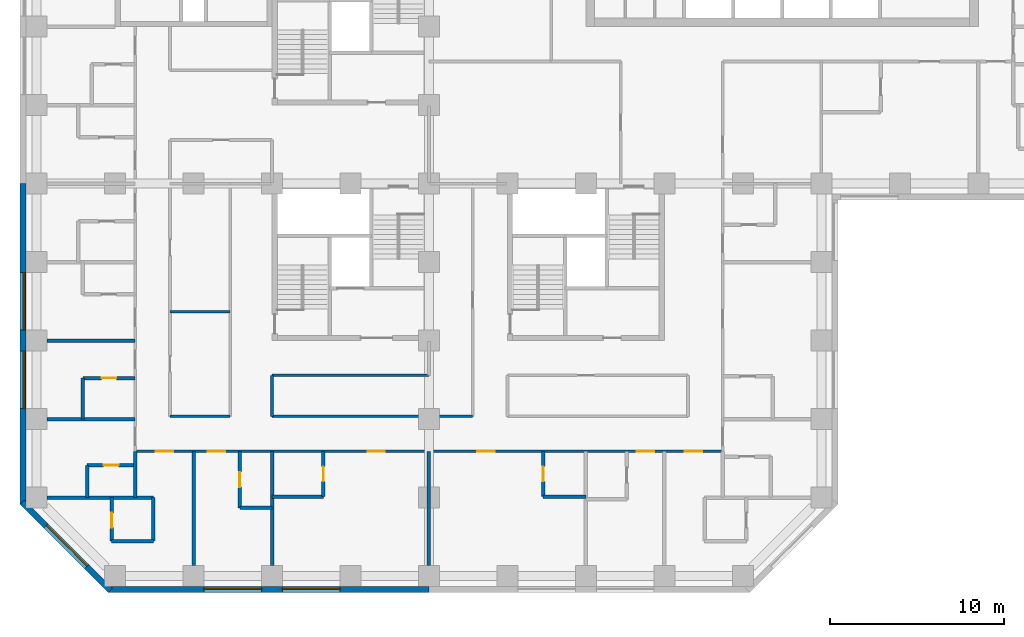
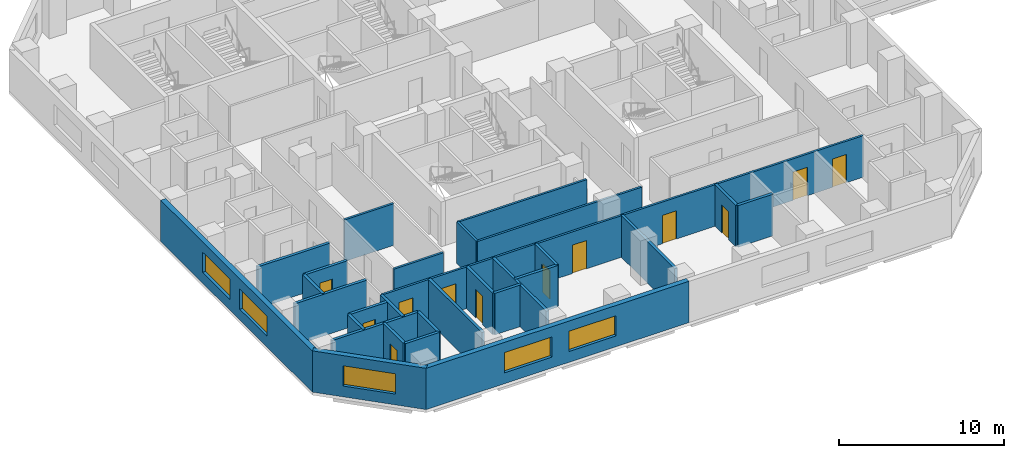
# One storey, part 2 of 12: 29 walls, 12 doors, 5 windows, 17 openings.
"""IFC4 building model written with IfcOpenShell, lengths in metres."""

from ifc_helpers import new_model, si_unit, direction, frame, frame_2d, origin, place, context, subcontext, project, spatial, rectangle, extrude, material, layer, layer_set, constituent, constituent_set, type_object, element, fill, save


model = new_model("IFC4")

# Units and contexts
model_context = context("Model", 3, precision=1e-05, world=origin(), true_north=direction((0.0, 1.0)))
body_context = subcontext(model_context, "Body", "Model", "MODEL_VIEW")
ifc_project = project(units=[si_unit("LENGTHUNIT", "METRE"), si_unit("AREAUNIT", "SQUARE_METRE"), si_unit("VOLUMEUNIT", "CUBIC_METRE"), si_unit("PLANEANGLEUNIT", "RADIAN"), si_unit("MASSUNIT", "GRAM", prefix="KILO")], contexts=[model_context])

# Site, building, storey
site_placement = place(None, origin())
site = spatial("IfcSite", under=ifc_project, at=site_placement, CompositionType="ELEMENT")
building_placement = place(site_placement, origin())
building = spatial("IfcBuilding", under=site, at=building_placement, Name="Quoin Convention Tower", CompositionType="ELEMENT")
storey_placement = place(building_placement, frame((0.0, 0.0, 33.0)))
storey = spatial("IfcBuildingStorey", under=building, at=storey_placement, Name="L07", CompositionType="ELEMENT", Elevation=33.0)

# Wall, opening, window
ifc_material_1 = material(Name="Brick masonry", Category="masonry")
ifc_layer_1 = layer(ifc_material_1, 0.35009765625)
ifc_layer_set_1 = layer_set([ifc_layer_1], Name="Brick masonry")
wall_type_1 = type_object("IfcWallType", Name="Brick facade wall", PredefinedType="STANDARD", material=ifc_layer_set_1)
wall_1_placement = place(storey_placement, frame((12.673583984375, 22.230224609375, 0.0), z_axis=(0.0, 0.0, 1.0), x_axis=(0.707106781187, -0.707106781187, 0.0)))
wall_1 = element("IfcWall", 1, at=wall_1_placement, inside=storey, type_object=wall_type_1, Name="fw-L07-13500_22500", PredefinedType="STANDARD", context=body_context, shape_type="SweptSolid", body=[
    extrude(rectangle(XDim=7.151123046875, YDim=0.35009765625, at=frame_2d((3.57568359375, 0.0))), origin(), (0.0, 0.0, 1.0), 3.054931640625),
])
opening_1_placement = place(wall_1_placement, frame((1.925537109375, 0.0, 0.800048828125)))
opening_1 = element("IfcOpeningElement", 2, at=opening_1_placement, cuts=wall_1, Name="Opening W-01", PredefinedType="OPENING", context=body_context, shape_type="SweptSolid", body=[
    extrude(rectangle(XDim=3.300048828125, YDim=1.5, at=frame_2d((1.64990234375, 0.75))), frame((0.0, 0.18505859375, 0.0), z_axis=(0.0, -1.0, 0.0), x_axis=(1.0, 0.0, 0.0)), (0.0, 0.0, 1.0), 0.3701171875),
])
ifc_material_2 = material(Name="Aluminium", Category="aluminium")
ifc_constituent_1 = constituent(ifc_material_2, Name="Frame")
ifc_material_3 = material(Name="Insulated glass", Category="glass")
ifc_constituent_2 = constituent(ifc_material_3, Name="Glazing")
ifc_constituent_set = constituent_set(constituents=[ifc_constituent_1, ifc_constituent_2], Name="Aluminium")
window_type = type_object("IfcWindowType", Name="Hotel strip window", PartitioningType="DOUBLE_PANEL_VERTICAL", PredefinedType="WINDOW", material=ifc_constituent_set)
window_1_placement = place(opening_1_placement, origin())
window_1 = element("IfcWindow", 3, at=window_1_placement, inside=storey, type_object=window_type, Name="win-L07-15202_19702", OverallHeight=1.5, OverallWidth=3.300048828125, PartitioningType="SINGLE_PANEL", PredefinedType="WINDOW", context=body_context, shape_type="SweptSolid", body=[
    extrude(rectangle(XDim=3.300048828125, YDim=1.5, at=frame_2d((1.64990234375, 0.75))), frame((0.0, 0.0849609375, 0.0), z_axis=(0.0, -1.0, 0.0), x_axis=(1.0, 0.0, 0.0)), (0.0, 0.0, 1.0), 0.06005859375),
])
fill(opening_1, window_1)

# Wall, openings, windows
wall_2_placement = place(storey_placement, frame((17.6064453125, 17.22509765625, 0.0), z_axis=(0.0, 0.0, 1.0), x_axis=(1.0, 0.0, 0.0)))
wall_2 = element("IfcWall", 4, at=wall_2_placement, inside=storey, type_object=wall_type_1, Name="fw-L07-18000_18000", PredefinedType="STANDARD", context=body_context, shape_type="SweptSolid", body=[
    extrude(rectangle(XDim=18.3935546875, YDim=0.35009765625, at=frame_2d((9.19677734375, 0.0))), origin(), (0.0, 0.0, 1.0), 3.054931640625),
])
opening_2_placement = place(wall_2_placement, frame((5.493408203125, 0.0, 0.800048828125)))
opening_2 = element("IfcOpeningElement", 5, at=opening_2_placement, cuts=wall_2, Name="Opening W-01", PredefinedType="OPENING", context=body_context, shape_type="SweptSolid", body=[
    extrude(rectangle(XDim=3.300048828125, YDim=1.5, at=frame_2d((1.64990234375, 0.75))), frame((0.0, 0.18505859375, 0.0), z_axis=(0.0, -1.0, 0.0), x_axis=(1.0, 0.0, 0.0)), (0.0, 0.0, 1.0), 0.3701171875),
])
opening_3_placement = place(wall_2_placement, frame((9.993408203125, 0.0, 0.800048828125)))
opening_3 = element("IfcOpeningElement", 6, at=opening_3_placement, cuts=wall_2, Name="Opening W-01", PredefinedType="OPENING", context=body_context, shape_type="SweptSolid", body=[
    extrude(rectangle(XDim=3.300048828125, YDim=1.5, at=frame_2d((1.64990234375, 0.75))), frame((0.0, 0.18505859375, 0.0), z_axis=(0.0, -1.0, 0.0), x_axis=(1.0, 0.0, 0.0)), (0.0, 0.0, 1.0), 0.3701171875),
])
window_2_placement = place(opening_2_placement, origin())
window_2 = element("IfcWindow", 7, at=window_2_placement, inside=storey, type_object=window_type, Name="win-L07-24750_17225", OverallHeight=1.5, OverallWidth=3.300048828125, PartitioningType="SINGLE_PANEL", PredefinedType="WINDOW", context=body_context, shape_type="SweptSolid", body=[
    extrude(rectangle(XDim=3.300048828125, YDim=1.5, at=frame_2d((1.64990234375, 0.75))), frame((0.0, 0.0849609375, 0.0), z_axis=(0.0, -1.0, 0.0), x_axis=(1.0, 0.0, 0.0)), (0.0, 0.0, 1.0), 0.06005859375),
])
fill(opening_2, window_2)
window_3_placement = place(opening_3_placement, origin())
window_3 = element("IfcWindow", 8, at=window_3_placement, inside=storey, type_object=window_type, Name="win-L07-29250_17225", OverallHeight=1.5, OverallWidth=3.300048828125, PartitioningType="SINGLE_PANEL", PredefinedType="WINDOW", context=body_context, shape_type="SweptSolid", body=[
    extrude(rectangle(XDim=3.300048828125, YDim=1.5, at=frame_2d((1.64990234375, 0.75))), frame((0.0, 0.0849609375, 0.0), z_axis=(0.0, -1.0, 0.0), x_axis=(1.0, 0.0, 0.0)), (0.0, 0.0, 1.0), 0.06005859375),
])
fill(opening_3, window_3)

wall_3_placement = place(storey_placement, frame((12.72509765625, 40.5, 0.0), z_axis=(0.0, 0.0, 1.0), x_axis=(0.0, -1.0, 0.0)))
wall_3 = element("IfcWall", 9, at=wall_3_placement, inside=storey, type_object=wall_type_1, Name="fw-L07-13500_40500", PredefinedType="STANDARD", context=body_context, shape_type="SweptSolid", body=[
    extrude(rectangle(XDim=18.3935546875, YDim=0.35009765625, at=frame_2d((9.19677734375, 0.0))), origin(), (0.0, 0.0, 1.0), 3.054931640625),
])
opening_4_placement = place(wall_3_placement, frame((5.10009765625, 0.0, 0.800048828125)))
opening_4 = element("IfcOpeningElement", 10, at=opening_4_placement, cuts=wall_3, Name="Opening W-01", PredefinedType="OPENING", context=body_context, shape_type="SweptSolid", body=[
    extrude(rectangle(XDim=3.300048828125, YDim=1.5, at=frame_2d((1.64990234375, 0.75))), frame((0.0, 0.18505859375, 0.0), z_axis=(0.0, -1.0, 0.0), x_axis=(1.0, 0.0, 0.0)), (0.0, 0.0, 1.0), 0.3701171875),
])
opening_5_placement = place(wall_3_placement, frame((9.60009765625, 0.0, 0.800048828125)))
opening_5 = element("IfcOpeningElement", 11, at=opening_5_placement, cuts=wall_3, Name="Opening W-01", PredefinedType="OPENING", context=body_context, shape_type="SweptSolid", body=[
    extrude(rectangle(XDim=3.300048828125, YDim=1.5, at=frame_2d((1.64990234375, 0.75))), frame((0.0, 0.18505859375, 0.0), z_axis=(0.0, -1.0, 0.0), x_axis=(1.0, 0.0, 0.0)), (0.0, 0.0, 1.0), 0.3701171875),
])
window_4_placement = place(opening_4_placement, origin())
window_4 = element("IfcWindow", 12, at=window_4_placement, inside=storey, type_object=window_type, Name="win-L07-12725_33750", OverallHeight=1.5, OverallWidth=3.300048828125, PartitioningType="SINGLE_PANEL", PredefinedType="WINDOW", context=body_context, shape_type="SweptSolid", body=[
    extrude(rectangle(XDim=3.300048828125, YDim=1.5, at=frame_2d((1.64990234375, 0.75))), frame((0.0, 0.0849609375, 0.0), z_axis=(0.0, -1.0, 0.0), x_axis=(1.0, 0.0, 0.0)), (0.0, 0.0, 1.0), 0.06005859375),
])
fill(opening_4, window_4)
window_5_placement = place(opening_5_placement, origin())
window_5 = element("IfcWindow", 13, at=window_5_placement, inside=storey, type_object=window_type, Name="win-L07-12725_29250", OverallHeight=1.5, OverallWidth=3.300048828125, PartitioningType="SINGLE_PANEL", PredefinedType="WINDOW", context=body_context, shape_type="SweptSolid", body=[
    extrude(rectangle(XDim=3.300048828125, YDim=1.5, at=frame_2d((1.64990234375, 0.75))), frame((0.0, 0.0849609375, 0.0), z_axis=(0.0, -1.0, 0.0), x_axis=(1.0, 0.0, 0.0)), (0.0, 0.0, 1.0), 0.06005859375),
])
fill(opening_5, window_5)

# Walls
ifc_material_4 = material(Name="Concrete C50", Category="concrete")
ifc_layer_2 = layer(ifc_material_4, 0.199951171875)
ifc_layer_set_2 = layer_set([ifc_layer_2], Name="Concrete C50")
wall_type_2 = type_object("IfcWallType", Name="RC party wall", PredefinedType="SOLIDWALL", material=ifc_layer_set_2)
for number, where, z_axis, x_axis, name in (
    (14, (22.5, 18.60009765625, 0.0), (0.0, 0.0, 1.0), (0.0, 1.0, 0.0), "pw-L07-035"),
    (15, (27.0, 18.60009765625, 0.0), (0.0, 0.0, 1.0), (0.0, 1.0, 0.0), "pw-L07-036"),
    (16, (36.0, 18.60009765625, 0.0), (0.0, 0.0, 1.0), (0.0, 1.0, 0.0), "pw-L07-037"),
):
    element("IfcWall", number, at=place(storey_placement, frame(where, z_axis=z_axis, x_axis=x_axis)), inside=storey, type_object=wall_type_2, Name=name, PredefinedType="SOLIDWALL", context=body_context, shape_type="SweptSolid", body=[
        extrude(rectangle(XDim=6.5498046875, YDim=0.199951171875, at=frame_2d((3.27490234375, 0.0))), origin(), (0.0, 0.0, 1.0), 3.080078125),
    ])
wall_4_placement = place(storey_placement, frame((17.800048828125, 20.0, 0.0), z_axis=(0.0, 0.0, 1.0), x_axis=(1.0, 0.0, 0.0)))
element("IfcWall", 17, at=wall_4_placement, inside=storey, type_object=wall_type_2, Name="pw-L07-040", PredefinedType="SOLIDWALL", context=body_context, shape_type="SweptSolid", body=[
    extrude(rectangle(XDim=2.39990234375, YDim=0.199951171875, at=frame_2d((1.199951171875, 0.0))), origin(), (0.0, 0.0, 1.0), 3.080078125),
])

# Wall, opening, door
wall_5_placement = place(storey_placement, frame((17.800048828125, 20.0, 0.0), z_axis=(0.0, 0.0, 1.0), x_axis=(0.0, 1.0, 0.0)))
wall_5 = element("IfcWall", 18, at=wall_5_placement, inside=storey, type_object=wall_type_2, Name="pw-L07-041", PredefinedType="SOLIDWALL", context=body_context, shape_type="SweptSolid", body=[
    extrude(rectangle(XDim=2.5, YDim=0.199951171875, at=frame_2d((1.25, 0.0))), origin(), (0.0, 0.0, 1.0), 3.080078125),
])
opening_6_placement = place(wall_5_placement, frame((0.77490234375, 0.0, 0.0)))
opening_6 = element("IfcOpeningElement", 19, at=opening_6_placement, cuts=wall_5, Name="Opening DHOTEL-C-42", PredefinedType="OPENING", context=body_context, shape_type="SweptSolid", body=[
    extrude(rectangle(XDim=0.85009765625, YDim=2.10009765625, at=frame_2d((0.425048828125, 1.050048828125))), frame((0.0, 0.10986328125, 0.0), z_axis=(0.0, -1.0, 0.0), x_axis=(1.0, 0.0, 0.0)), (0.0, 0.0, 1.0), 0.219970703125),
])
ifc_material_5 = material(Name="Steel door leaf", Category="steel")
door_type_1 = type_object("IfcDoorType", Name="Bathroom door", OperationType="SINGLE_SWING_LEFT", PredefinedType="DOOR", material=ifc_material_5)
door_1_placement = place(opening_6_placement, origin())
door_1 = element("IfcDoor", 20, at=door_1_placement, inside=storey, type_object=door_type_1, Name="dr-L07-060", OperationType="SINGLE_SWING_RIGHT", OverallHeight=2.10009765625, OverallWidth=0.85009765625, PredefinedType="DOOR", context=body_context, shape_type="SweptSolid", body=[
    extrude(rectangle(XDim=0.85009765625, YDim=2.10009765625, at=frame_2d((0.425048828125, 1.050048828125))), frame((0.0, 0.02490234375, 0.0), z_axis=(0.0, -1.0, 0.0), x_axis=(1.0, 0.0, 0.0)), (0.0, 0.0, 1.0), 0.050048828125),
])
fill(opening_6, door_1)

# Walls
wall_6_placement = place(storey_placement, frame((20.199951171875, 20.0, 0.0), z_axis=(0.0, 0.0, 1.0), x_axis=(0.0, 1.0, 0.0)))
element("IfcWall", 21, at=wall_6_placement, inside=storey, type_object=wall_type_2, Name="pw-L07-042", PredefinedType="SOLIDWALL", context=body_context, shape_type="SweptSolid", body=[
    extrude(rectangle(XDim=2.5, YDim=0.199951171875, at=frame_2d((1.25, 0.0))), origin(), (0.0, 0.0, 1.0), 3.080078125),
])
wall_7_placement = place(storey_placement, frame((25.14990234375, 21.89990234375, 0.0), z_axis=(0.0, 0.0, 1.0), x_axis=(1.0, 0.0, 0.0)))
element("IfcWall", 22, at=wall_7_placement, inside=storey, type_object=wall_type_2, Name="pw-L07-046", PredefinedType="SOLIDWALL", context=body_context, shape_type="SweptSolid", body=[
    extrude(rectangle(XDim=1.85009765625, YDim=0.199951171875, at=frame_2d((0.925048828125, 0.0))), origin(), (0.0, 0.0, 1.0), 3.080078125),
])

# Wall, opening, door
wall_8_placement = place(storey_placement, frame((25.14990234375, 21.89990234375, 0.0), z_axis=(0.0, 0.0, 1.0), x_axis=(0.0, 1.0, 0.0)))
wall_8 = element("IfcWall", 23, at=wall_8_placement, inside=storey, type_object=wall_type_2, Name="pw-L07-047", PredefinedType="SOLIDWALL", context=body_context, shape_type="SweptSolid", body=[
    extrude(rectangle(XDim=3.25, YDim=0.199951171875, at=frame_2d((1.625, 0.0))), origin(), (0.0, 0.0, 1.0), 3.080078125),
])
opening_7_placement = place(wall_8_placement, frame((1.199951171875, 0.0, 0.0)))
opening_7 = element("IfcOpeningElement", 24, at=opening_7_placement, cuts=wall_8, Name="Opening DHOTEL-C-44", PredefinedType="OPENING", context=body_context, shape_type="SweptSolid", body=[
    extrude(rectangle(XDim=0.85009765625, YDim=2.10009765625, at=frame_2d((0.425048828125, 1.050048828125))), frame((0.0, 0.10986328125, 0.0), z_axis=(0.0, -1.0, 0.0), x_axis=(1.0, 0.0, 0.0)), (0.0, 0.0, 1.0), 0.219970703125),
])
door_2_placement = place(opening_7_placement, origin())
door_2 = element("IfcDoor", 25, at=door_2_placement, inside=storey, type_object=door_type_1, Name="dr-L07-002", OperationType="SINGLE_SWING_RIGHT", OverallHeight=2.10009765625, OverallWidth=0.85009765625, PredefinedType="DOOR", context=body_context, shape_type="SweptSolid", body=[
    extrude(rectangle(XDim=0.85009765625, YDim=2.10009765625, at=frame_2d((0.425048828125, 1.050048828125))), frame((0.0, 0.02490234375, 0.0), z_axis=(0.0, -1.0, 0.0), x_axis=(1.0, 0.0, 0.0)), (0.0, 0.0, 1.0), 0.050048828125),
])
fill(opening_7, door_2)

# Walls
wall_9_placement = place(storey_placement, frame((14.10009765625, 22.5, 0.0), z_axis=(0.0, 0.0, 1.0), x_axis=(1.0, 0.0, 0.0)))
element("IfcWall", 26, at=wall_9_placement, inside=storey, type_object=wall_type_2, Name="pw-L07-050", PredefinedType="SOLIDWALL", context=body_context, shape_type="SweptSolid", body=[
    extrude(rectangle(XDim=6.099853515625, YDim=0.199951171875, at=frame_2d((3.0498046875, 0.0))), origin(), (0.0, 0.0, 1.0), 3.080078125),
])
wall_10_placement = place(storey_placement, frame((16.39990234375, 22.5, 0.0), z_axis=(0.0, 0.0, 1.0), x_axis=(0.0, 1.0, 0.0)))
element("IfcWall", 27, at=wall_10_placement, inside=storey, type_object=wall_type_2, Name="pw-L07-051", PredefinedType="SOLIDWALL", context=body_context, shape_type="SweptSolid", body=[
    extrude(rectangle(XDim=1.85009765625, YDim=0.199951171875, at=frame_2d((0.925048828125, 0.0))), origin(), (0.0, 0.0, 1.0), 3.080078125),
])
wall_11_placement = place(storey_placement, frame((19.14990234375, 22.5, 0.0), z_axis=(0.0, 0.0, 1.0), x_axis=(0.0, 1.0, 0.0)))
element("IfcWall", 28, at=wall_11_placement, inside=storey, type_object=wall_type_2, Name="pw-L07-052", PredefinedType="SOLIDWALL", context=body_context, shape_type="SweptSolid", body=[
    extrude(rectangle(XDim=2.64990234375, YDim=0.199951171875, at=frame_2d((1.324951171875, 0.0))), origin(), (0.0, 0.0, 1.0), 3.080078125),
])
wall_12_placement = place(storey_placement, frame((27.0, 22.550048828125, 0.0), z_axis=(0.0, 0.0, 1.0), x_axis=(1.0, 0.0, 0.0)))
element("IfcWall", 29, at=wall_12_placement, inside=storey, type_object=wall_type_2, Name="pw-L07-056", PredefinedType="SOLIDWALL", context=body_context, shape_type="SweptSolid", body=[
    extrude(rectangle(XDim=2.949951171875, YDim=0.199951171875, at=frame_2d((1.47509765625, 0.0))), origin(), (0.0, 0.0, 1.0), 3.080078125),
])

# Wall, opening, door
wall_13_placement = place(storey_placement, frame((29.949951171875, 22.550048828125, 0.0), z_axis=(0.0, 0.0, 1.0), x_axis=(0.0, 1.0, 0.0)))
wall_13 = element("IfcWall", 30, at=wall_13_placement, inside=storey, type_object=wall_type_2, Name="pw-L07-057", PredefinedType="SOLIDWALL", context=body_context, shape_type="SweptSolid", body=[
    extrude(rectangle(XDim=2.599853515625, YDim=0.199951171875, at=frame_2d((1.2998046875, 0.0))), origin(), (0.0, 0.0, 1.0), 3.080078125),
])
opening_8_placement = place(wall_13_placement, frame((0.875, 0.0, 0.0)))
opening_8 = element("IfcOpeningElement", 31, at=opening_8_placement, cuts=wall_13, Name="Opening DHOTEL-C-46", PredefinedType="OPENING", context=body_context, shape_type="SweptSolid", body=[
    extrude(rectangle(XDim=0.85009765625, YDim=2.10009765625, at=frame_2d((0.425048828125, 1.050048828125))), frame((0.0, 0.10986328125, 0.0), z_axis=(0.0, -1.0, 0.0), x_axis=(1.0, 0.0, 0.0)), (0.0, 0.0, 1.0), 0.219970703125),
])
door_3_placement = place(opening_8_placement, frame((0.85009765625, 0.0, 0.0), z_axis=(0.0, 0.0, 1.0), x_axis=(-1.0, 0.0, 0.0)))
door_3 = element("IfcDoor", 32, at=door_3_placement, inside=storey, type_object=door_type_1, Name="dr-L07-004", OperationType="SINGLE_SWING_LEFT", OverallHeight=2.10009765625, OverallWidth=0.85009765625, PredefinedType="DOOR", context=body_context, shape_type="SweptSolid", body=[
    extrude(rectangle(XDim=0.85009765625, YDim=2.10009765625, at=frame_2d((0.425048828125, 1.050048828125))), frame((0.0, 0.02490234375, 0.0), z_axis=(0.0, -1.0, 0.0), x_axis=(1.0, 0.0, 0.0)), (0.0, 0.0, 1.0), 0.050048828125),
])
fill(opening_8, door_3)

# Wall
wall_14_placement = place(storey_placement, frame((42.550048828125, 22.550048828125, 0.0), z_axis=(0.0, 0.0, 1.0), x_axis=(1.0, 0.0, 0.0)))
element("IfcWall", 33, at=wall_14_placement, inside=storey, type_object=wall_type_2, Name="pw-L07-058", PredefinedType="SOLIDWALL", context=body_context, shape_type="SweptSolid", body=[
    extrude(rectangle(XDim=2.449951171875, YDim=0.199951171875, at=frame_2d((1.22509765625, 0.0))), origin(), (0.0, 0.0, 1.0), 3.080078125),
])

# Wall, opening, door
wall_15_placement = place(storey_placement, frame((42.550048828125, 22.550048828125, 0.0), z_axis=(0.0, 0.0, 1.0), x_axis=(0.0, 1.0, 0.0)))
wall_15 = element("IfcWall", 34, at=wall_15_placement, inside=storey, type_object=wall_type_2, Name="pw-L07-059", PredefinedType="SOLIDWALL", context=body_context, shape_type="SweptSolid", body=[
    extrude(rectangle(XDim=2.599853515625, YDim=0.199951171875, at=frame_2d((1.2998046875, 0.0))), origin(), (0.0, 0.0, 1.0), 3.080078125),
])
opening_9_placement = place(wall_15_placement, frame((0.875, 0.0, 0.0)))
opening_9 = element("IfcOpeningElement", 35, at=opening_9_placement, cuts=wall_15, Name="Opening DHOTEL-C-47", PredefinedType="OPENING", context=body_context, shape_type="SweptSolid", body=[
    extrude(rectangle(XDim=0.85009765625, YDim=2.10009765625, at=frame_2d((0.425048828125, 1.050048828125))), frame((0.0, 0.10986328125, 0.0), z_axis=(0.0, -1.0, 0.0), x_axis=(1.0, 0.0, 0.0)), (0.0, 0.0, 1.0), 0.219970703125),
])
door_4_placement = place(opening_9_placement, origin())
door_4 = element("IfcDoor", 36, at=door_4_placement, inside=storey, type_object=door_type_1, Name="dr-L07-006", OperationType="SINGLE_SWING_RIGHT", OverallHeight=2.10009765625, OverallWidth=0.85009765625, PredefinedType="DOOR", context=body_context, shape_type="SweptSolid", body=[
    extrude(rectangle(XDim=0.85009765625, YDim=2.10009765625, at=frame_2d((0.425048828125, 1.050048828125))), frame((0.0, 0.02490234375, 0.0), z_axis=(0.0, -1.0, 0.0), x_axis=(1.0, 0.0, 0.0)), (0.0, 0.0, 1.0), 0.050048828125),
])
fill(opening_9, door_4)

wall_16_placement = place(storey_placement, frame((16.39990234375, 24.35009765625, 0.0), z_axis=(0.0, 0.0, 1.0), x_axis=(1.0, 0.0, 0.0)))
wall_16 = element("IfcWall", 37, at=wall_16_placement, inside=storey, type_object=wall_type_2, Name="pw-L07-060", PredefinedType="SOLIDWALL", context=body_context, shape_type="SweptSolid", body=[
    extrude(rectangle(XDim=2.75, YDim=0.199951171875, at=frame_2d((1.375, 0.0))), origin(), (0.0, 0.0, 1.0), 3.080078125),
])
opening_10_placement = place(wall_16_placement, frame((0.949951171875, 0.0, 0.0)))
opening_10 = element("IfcOpeningElement", 38, at=opening_10_placement, cuts=wall_16, Name="Opening DHOTEL-C-48", PredefinedType="OPENING", context=body_context, shape_type="SweptSolid", body=[
    extrude(rectangle(XDim=0.85009765625, YDim=2.10009765625, at=frame_2d((0.425048828125, 1.050048828125))), frame((0.0, 0.10986328125, 0.0), z_axis=(0.0, -1.0, 0.0), x_axis=(1.0, 0.0, 0.0)), (0.0, 0.0, 1.0), 0.219970703125),
])
door_5_placement = place(opening_10_placement, origin())
door_5 = element("IfcDoor", 39, at=door_5_placement, inside=storey, type_object=door_type_1, Name="dr-L07-010", OperationType="SINGLE_SWING_RIGHT", OverallHeight=2.10009765625, OverallWidth=0.85009765625, PredefinedType="DOOR", context=body_context, shape_type="SweptSolid", body=[
    extrude(rectangle(XDim=0.85009765625, YDim=2.10009765625, at=frame_2d((0.425048828125, 1.050048828125))), frame((0.0, 0.02490234375, 0.0), z_axis=(0.0, -1.0, 0.0), x_axis=(1.0, 0.0, 0.0)), (0.0, 0.0, 1.0), 0.050048828125),
])
fill(opening_10, door_5)

# Walls
wall_17_placement = place(storey_placement, frame((14.10009765625, 27.0, 0.0), z_axis=(0.0, 0.0, 1.0), x_axis=(1.0, 0.0, 0.0)))
element("IfcWall", 40, at=wall_17_placement, inside=storey, type_object=wall_type_2, Name="pw-L07-062", PredefinedType="SOLIDWALL", context=body_context, shape_type="SweptSolid", body=[
    extrude(rectangle(XDim=5.0498046875, YDim=0.199951171875, at=frame_2d((2.52490234375, 0.0))), origin(), (0.0, 0.0, 1.0), 3.080078125),
])
wall_18_placement = place(storey_placement, frame((16.14990234375, 27.0, 0.0), z_axis=(0.0, 0.0, 1.0), x_axis=(0.0, 1.0, 0.0)))
element("IfcWall", 41, at=wall_18_placement, inside=storey, type_object=wall_type_2, Name="pw-L07-063", PredefinedType="SOLIDWALL", context=body_context, shape_type="SweptSolid", body=[
    extrude(rectangle(XDim=2.35009765625, YDim=0.199951171875, at=frame_2d((1.175048828125, 0.0))), origin(), (0.0, 0.0, 1.0), 3.080078125),
])

# Wall, opening, door
wall_19_placement = place(storey_placement, frame((16.14990234375, 29.35009765625, 0.0), z_axis=(0.0, 0.0, 1.0), x_axis=(1.0, 0.0, 0.0)))
wall_19 = element("IfcWall", 42, at=wall_19_placement, inside=storey, type_object=wall_type_2, Name="pw-L07-066", PredefinedType="SOLIDWALL", context=body_context, shape_type="SweptSolid", body=[
    extrude(rectangle(XDim=3.0, YDim=0.199951171875, at=frame_2d((1.5, 0.0))), origin(), (0.0, 0.0, 1.0), 3.080078125),
])
opening_11_placement = place(wall_19_placement, frame((1.074951171875, 0.0, 0.0)))
opening_11 = element("IfcOpeningElement", 43, at=opening_11_placement, cuts=wall_19, Name="Opening DHOTEL-C-50", PredefinedType="OPENING", context=body_context, shape_type="SweptSolid", body=[
    extrude(rectangle(XDim=0.85009765625, YDim=2.10009765625, at=frame_2d((0.425048828125, 1.050048828125))), frame((0.0, 0.10986328125, 0.0), z_axis=(0.0, -1.0, 0.0), x_axis=(1.0, 0.0, 0.0)), (0.0, 0.0, 1.0), 0.219970703125),
])
door_6_placement = place(opening_11_placement, origin())
door_6 = element("IfcDoor", 44, at=door_6_placement, inside=storey, type_object=door_type_1, Name="dr-L07-012", OperationType="SINGLE_SWING_RIGHT", OverallHeight=2.10009765625, OverallWidth=0.85009765625, PredefinedType="DOOR", context=body_context, shape_type="SweptSolid", body=[
    extrude(rectangle(XDim=0.85009765625, YDim=2.10009765625, at=frame_2d((0.425048828125, 1.050048828125))), frame((0.0, 0.02490234375, 0.0), z_axis=(0.0, -1.0, 0.0), x_axis=(1.0, 0.0, 0.0)), (0.0, 0.0, 1.0), 0.050048828125),
])
fill(opening_11, door_6)

# Wall
wall_20_placement = place(storey_placement, frame((14.10009765625, 31.5, 0.0), z_axis=(0.0, 0.0, 1.0), x_axis=(1.0, 0.0, 0.0)))
element("IfcWall", 45, at=wall_20_placement, inside=storey, type_object=wall_type_2, Name="pw-L07-068", PredefinedType="SOLIDWALL", context=body_context, shape_type="SweptSolid", body=[
    extrude(rectangle(XDim=5.0498046875, YDim=0.199951171875, at=frame_2d((2.52490234375, 0.0))), origin(), (0.0, 0.0, 1.0), 3.080078125),
])

# Wall, openings, doors
ifc_material_6 = material(Name="Plasterboard")
ifc_layer_3 = layer(ifc_material_6, 0.012451171875, Name="Finish")
ifc_material_7 = material(Name="Steel stud framing", Category="steel")
ifc_layer_4 = layer(ifc_material_7, 0.125, Name="Structure")
ifc_layer_5 = layer(ifc_material_6, 0.012451171875, Name="Finish")
ifc_layer_set_3 = layer_set([ifc_layer_3, ifc_layer_4, ifc_layer_5], Name="Steel stud framing")
wall_type_3 = type_object("IfcWallType", Name="corridor partition", PredefinedType="PARTITIONING", material=ifc_layer_set_3)
wall_21_placement = place(storey_placement, frame((19.14990234375, 25.14990234375, 0.0), z_axis=(0.0, 0.0, 1.0), x_axis=(1.0, 0.0, 0.0)))
wall_21 = element("IfcWall", 46, at=wall_21_placement, inside=storey, type_object=wall_type_3, Name="pw-L07-003", PredefinedType="PARTITIONING", context=body_context, shape_type="SweptSolid", body=[
    extrude(rectangle(XDim=33.7001953125, YDim=0.14990234375, at=frame_2d((16.85009765625, 0.0))), origin(), (0.0, 0.0, 1.0), 3.080078125),
])
opening_12_placement = place(wall_21_placement, frame((4.175048828125, 0.0, 0.0)))
opening_12 = element("IfcOpeningElement", 47, at=opening_12_placement, cuts=wall_21, Name="Opening DHOTEL-C-02", PredefinedType="OPENING", context=body_context, shape_type="SweptSolid", body=[
    extrude(rectangle(XDim=1.0, YDim=2.10009765625, at=frame_2d((0.5, 1.050048828125))), frame((0.0, 0.0849609375, 0.0), z_axis=(0.0, -1.0, 0.0), x_axis=(1.0, 0.0, 0.0)), (0.0, 0.0, 1.0), 0.169921875),
])
opening_13_placement = place(wall_21_placement, frame((13.324951171875, 0.0, 0.0)))
opening_13 = element("IfcOpeningElement", 48, at=opening_13_placement, cuts=wall_21, Name="Opening DHOTEL-C-03", PredefinedType="OPENING", context=body_context, shape_type="SweptSolid", body=[
    extrude(rectangle(XDim=1.0, YDim=2.10009765625, at=frame_2d((0.5, 1.050048828125))), frame((0.0, 0.0849609375, 0.0), z_axis=(0.0, -1.0, 0.0), x_axis=(1.0, 0.0, 0.0)), (0.0, 0.0, 1.0), 0.169921875),
])
opening_14_placement = place(wall_21_placement, frame((19.625, 0.0, 0.0)))
opening_14 = element("IfcOpeningElement", 49, at=opening_14_placement, cuts=wall_21, Name="Opening DHOTEL-C-04", PredefinedType="OPENING", context=body_context, shape_type="SweptSolid", body=[
    extrude(rectangle(XDim=1.0, YDim=2.10009765625, at=frame_2d((0.5, 1.050048828125))), frame((0.0, 0.0849609375, 0.0), z_axis=(0.0, -1.0, 0.0), x_axis=(1.0, 0.0, 0.0)), (0.0, 0.0, 1.0), 0.169921875),
])
opening_15_placement = place(wall_21_placement, frame((28.77490234375, 0.0, 0.0)))
opening_15 = element("IfcOpeningElement", 50, at=opening_15_placement, cuts=wall_21, Name="Opening DHOTEL-C-05", PredefinedType="OPENING", context=body_context, shape_type="SweptSolid", body=[
    extrude(rectangle(XDim=1.0, YDim=2.10009765625, at=frame_2d((0.5, 1.050048828125))), frame((0.0, 0.0849609375, 0.0), z_axis=(0.0, -1.0, 0.0), x_axis=(1.0, 0.0, 0.0)), (0.0, 0.0, 1.0), 0.169921875),
])
opening_16_placement = place(wall_21_placement, frame((1.175048828125, 0.0, 0.0)))
opening_16 = element("IfcOpeningElement", 51, at=opening_16_placement, cuts=wall_21, Name="Opening DHOTEL-C-01", PredefinedType="OPENING", context=body_context, shape_type="SweptSolid", body=[
    extrude(rectangle(XDim=1.0, YDim=2.10009765625, at=frame_2d((0.5, 1.050048828125))), frame((0.0, 0.0849609375, 0.0), z_axis=(0.0, -1.0, 0.0), x_axis=(1.0, 0.0, 0.0)), (0.0, 0.0, 1.0), 0.169921875),
])
opening_17_placement = place(wall_21_placement, frame((31.52490234375, 0.0, 0.0)))
opening_17 = element("IfcOpeningElement", 52, at=opening_17_placement, cuts=wall_21, Name="Opening DHOTEL-C-06", PredefinedType="OPENING", context=body_context, shape_type="SweptSolid", body=[
    extrude(rectangle(XDim=1.0, YDim=2.10009765625, at=frame_2d((0.5, 1.050048828125))), frame((0.0, 0.0849609375, 0.0), z_axis=(0.0, -1.0, 0.0), x_axis=(1.0, 0.0, 0.0)), (0.0, 0.0, 1.0), 0.169921875),
])
door_type_2 = type_object("IfcDoorType", Name="Hotel room door", OperationType="SINGLE_SWING_LEFT", PredefinedType="DOOR", material=ifc_material_5)
door_7_placement = place(opening_12_placement, frame((1.0, 0.0, 0.0), z_axis=(0.0, 0.0, 1.0), x_axis=(-1.0, 0.0, 0.0)))
door_7 = element("IfcDoor", 53, at=door_7_placement, inside=storey, type_object=door_type_2, Name="dr-L07-001", OperationType="SINGLE_SWING_LEFT", OverallHeight=2.10009765625, OverallWidth=1.0, PredefinedType="DOOR", context=body_context, shape_type="SweptSolid", body=[
    extrude(rectangle(XDim=1.0, YDim=2.10009765625, at=frame_2d((0.5, 1.050048828125))), frame((0.0, 0.02490234375, 0.0), z_axis=(0.0, -1.0, 0.0), x_axis=(1.0, 0.0, 0.0)), (0.0, 0.0, 1.0), 0.050048828125),
])
fill(opening_12, door_7)
door_8_placement = place(opening_13_placement, frame((1.0, 0.0, 0.0), z_axis=(0.0, 0.0, 1.0), x_axis=(-1.0, 0.0, 0.0)))
door_8 = element("IfcDoor", 54, at=door_8_placement, inside=storey, type_object=door_type_2, Name="dr-L07-003", OperationType="SINGLE_SWING_LEFT", OverallHeight=2.10009765625, OverallWidth=1.0, PredefinedType="DOOR", context=body_context, shape_type="SweptSolid", body=[
    extrude(rectangle(XDim=1.0, YDim=2.10009765625, at=frame_2d((0.5, 1.050048828125))), frame((0.0, 0.02490234375, 0.0), z_axis=(0.0, -1.0, 0.0), x_axis=(1.0, 0.0, 0.0)), (0.0, 0.0, 1.0), 0.050048828125),
])
fill(opening_13, door_8)
door_9_placement = place(opening_14_placement, frame((1.0, 0.0, 0.0), z_axis=(0.0, 0.0, 1.0), x_axis=(-1.0, 0.0, 0.0)))
door_9 = element("IfcDoor", 55, at=door_9_placement, inside=storey, type_object=door_type_2, Name="dr-L07-005", OperationType="SINGLE_SWING_LEFT", OverallHeight=2.10009765625, OverallWidth=1.0, PredefinedType="DOOR", context=body_context, shape_type="SweptSolid", body=[
    extrude(rectangle(XDim=1.0, YDim=2.10009765625, at=frame_2d((0.5, 1.050048828125))), frame((0.0, 0.02490234375, 0.0), z_axis=(0.0, -1.0, 0.0), x_axis=(1.0, 0.0, 0.0)), (0.0, 0.0, 1.0), 0.050048828125),
])
fill(opening_14, door_9)
door_10_placement = place(opening_15_placement, frame((1.0, 0.0, 0.0), z_axis=(0.0, 0.0, 1.0), x_axis=(-1.0, 0.0, 0.0)))
door_10 = element("IfcDoor", 56, at=door_10_placement, inside=storey, type_object=door_type_2, Name="dr-L07-007", OperationType="SINGLE_SWING_LEFT", OverallHeight=2.10009765625, OverallWidth=1.0, PredefinedType="DOOR", context=body_context, shape_type="SweptSolid", body=[
    extrude(rectangle(XDim=1.0, YDim=2.10009765625, at=frame_2d((0.5, 1.050048828125))), frame((0.0, 0.02490234375, 0.0), z_axis=(0.0, -1.0, 0.0), x_axis=(1.0, 0.0, 0.0)), (0.0, 0.0, 1.0), 0.050048828125),
])
fill(opening_15, door_10)
door_11_placement = place(opening_16_placement, frame((1.0, 0.0, 0.0), z_axis=(0.0, 0.0, 1.0), x_axis=(-1.0, 0.0, 0.0)))
door_11 = element("IfcDoor", 57, at=door_11_placement, inside=storey, type_object=door_type_2, Name="dr-L07-059", OperationType="SINGLE_SWING_LEFT", OverallHeight=2.10009765625, OverallWidth=1.0, PredefinedType="DOOR", context=body_context, shape_type="SweptSolid", body=[
    extrude(rectangle(XDim=1.0, YDim=2.10009765625, at=frame_2d((0.5, 1.050048828125))), frame((0.0, 0.02490234375, 0.0), z_axis=(0.0, -1.0, 0.0), x_axis=(1.0, 0.0, 0.0)), (0.0, 0.0, 1.0), 0.050048828125),
])
fill(opening_16, door_11)
door_12_placement = place(opening_17_placement, frame((1.0, 0.0, 0.0), z_axis=(0.0, 0.0, 1.0), x_axis=(-1.0, 0.0, 0.0)))
door_12 = element("IfcDoor", 58, at=door_12_placement, inside=storey, type_object=door_type_2, Name="dr-L07-061", OperationType="SINGLE_SWING_LEFT", OverallHeight=2.10009765625, OverallWidth=1.0, PredefinedType="DOOR", context=body_context, shape_type="SweptSolid", body=[
    extrude(rectangle(XDim=1.0, YDim=2.10009765625, at=frame_2d((0.5, 1.050048828125))), frame((0.0, 0.02490234375, 0.0), z_axis=(0.0, -1.0, 0.0), x_axis=(1.0, 0.0, 0.0)), (0.0, 0.0, 1.0), 0.050048828125),
])
fill(opening_17, door_12)

# Walls
wall_22_placement = place(storey_placement, frame((21.14990234375, 27.14990234375, 0.0), z_axis=(0.0, 0.0, 1.0), x_axis=(1.0, 0.0, 0.0)))
element("IfcWall", 59, at=wall_22_placement, inside=storey, type_object=wall_type_3, Name="pw-L07-006", PredefinedType="PARTITIONING", context=body_context, shape_type="SweptSolid", body=[
    extrude(rectangle(XDim=3.4501953125, YDim=0.14990234375, at=frame_2d((1.72509765625, 0.0))), origin(), (0.0, 0.0, 1.0), 3.080078125),
])
wall_23_placement = place(storey_placement, frame((27.0, 27.14990234375, 0.0), z_axis=(0.0, 0.0, 1.0), x_axis=(1.0, 0.0, 0.0)))
element("IfcWall", 60, at=wall_23_placement, inside=storey, type_object=wall_type_3, Name="pw-L07-009", PredefinedType="PARTITIONING", context=body_context, shape_type="SweptSolid", body=[
    extrude(rectangle(XDim=11.5, YDim=0.14990234375, at=frame_2d((5.75, 0.0))), origin(), (0.0, 0.0, 1.0), 3.080078125),
])
wall_24_placement = place(storey_placement, frame((27.0, 27.14990234375, 0.0), z_axis=(0.0, 0.0, 1.0), x_axis=(0.0, 1.0, 0.0)))
element("IfcWall", 61, at=wall_24_placement, inside=storey, type_object=wall_type_3, Name="pw-L07-010", PredefinedType="PARTITIONING", context=body_context, shape_type="SweptSolid", body=[
    extrude(rectangle(XDim=2.35009765625, YDim=0.14990234375, at=frame_2d((1.175048828125, 0.0))), origin(), (0.0, 0.0, 1.0), 3.080078125),
])
wall_25_placement = place(storey_placement, frame((27.0, 29.5, 0.0), z_axis=(0.0, 0.0, 1.0), x_axis=(1.0, 0.0, 0.0)))
element("IfcWall", 62, at=wall_25_placement, inside=storey, type_object=wall_type_3, Name="pw-L07-015", PredefinedType="PARTITIONING", context=body_context, shape_type="SweptSolid", body=[
    extrude(rectangle(XDim=9.0, YDim=0.14990234375, at=frame_2d((4.5, 0.0))), origin(), (0.0, 0.0, 1.0), 3.080078125),
])
ifc_layer_6 = layer(ifc_material_6, 0.012451171875, Name="Finish")
ifc_layer_7 = layer(ifc_material_7, 0.125, Name="Structure")
ifc_layer_8 = layer(ifc_material_6, 0.012451171875, Name="Finish")
ifc_layer_set_4 = layer_set([ifc_layer_6, ifc_layer_7, ifc_layer_8], Name="Steel stud framing")
wall_type_4 = type_object("IfcWallType", Name="room partition", PredefinedType="PARTITIONING", material=ifc_layer_set_4)
wall_26_placement = place(storey_placement, frame((21.14990234375, 33.14990234375, 0.0), z_axis=(0.0, 0.0, 1.0), x_axis=(1.0, 0.0, 0.0)))
element("IfcWall", 63, at=wall_26_placement, inside=storey, type_object=wall_type_4, Name="pw-L07-154", PredefinedType="PARTITIONING", context=body_context, shape_type="SweptSolid", body=[
    extrude(rectangle(XDim=3.4501953125, YDim=0.14990234375, at=frame_2d((1.72509765625, 0.0))), origin(), (0.0, 0.0, 1.0), 3.080078125),
])

save(model, "model.ifc")
